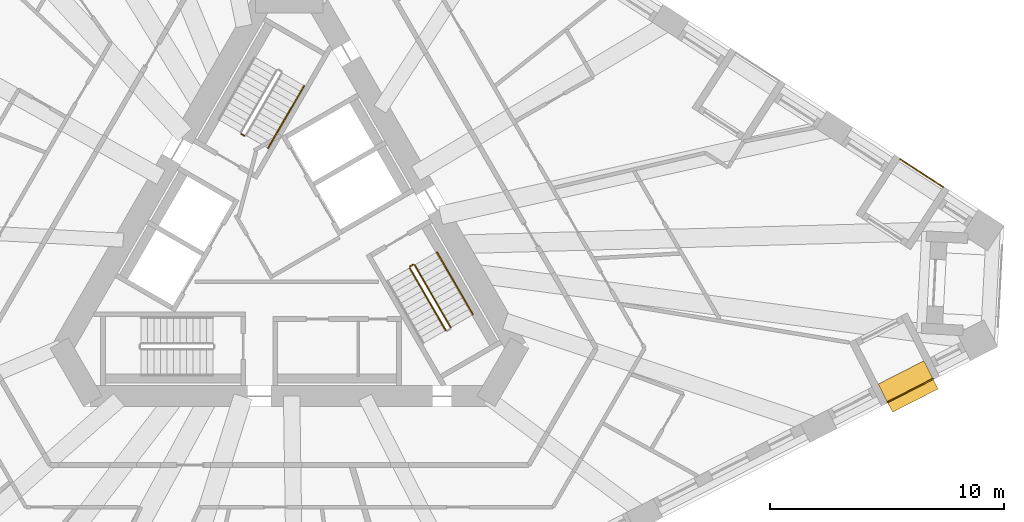
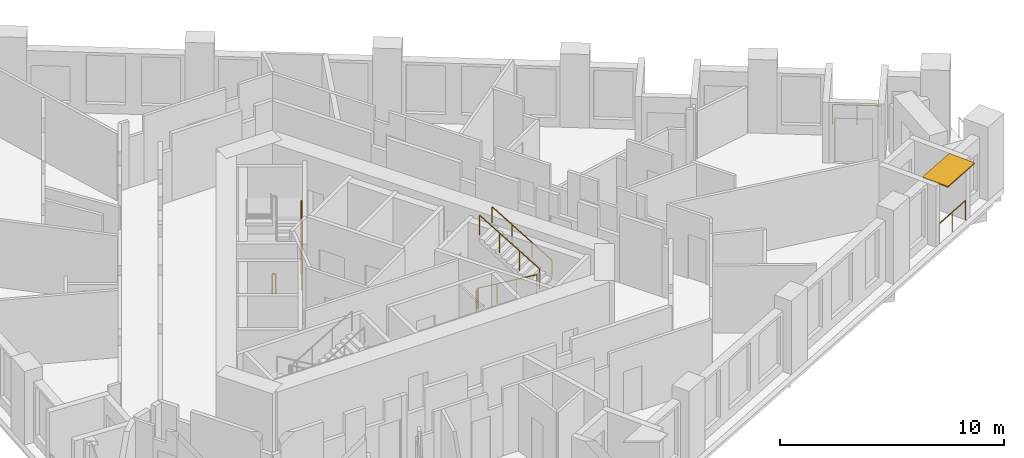
# One storey, part 11 of 13: 8 railings, 1 shading device.
"""IFC4 building model written with IfcOpenShell, lengths in metres."""

from ifc_helpers import new_model, si_unit, direction, frame, origin, origin_2d, place, context, subcontext, project, spatial, rectangle, circle, extrude, material, layer, layer_set, type_object, element, save


model = new_model("IFC4")

# Units and contexts
model_context = context("Model", 3, precision=1e-05, world=origin(), true_north=direction((0.0, 1.0)))
body_context = subcontext(model_context, "Body", "Model", "MODEL_VIEW")
ifc_project = project(units=[si_unit("LENGTHUNIT", "METRE"), si_unit("AREAUNIT", "SQUARE_METRE"), si_unit("VOLUMEUNIT", "CUBIC_METRE"), si_unit("PLANEANGLEUNIT", "RADIAN"), si_unit("MASSUNIT", "GRAM", prefix="KILO")], contexts=[model_context])

# Site, building, storey
site_placement = place(None, origin())
site = spatial("IfcSite", under=ifc_project, at=site_placement, CompositionType="ELEMENT")
building_placement = place(site_placement, origin())
building = spatial("IfcBuilding", under=site, at=building_placement, Name="Tramontana Tower", CompositionType="ELEMENT")
storey_placement = place(building_placement, frame((0.0, 0.0, 141.60009765625)))
storey = spatial("IfcBuildingStorey", under=building, at=storey_placement, Name="L32", CompositionType="ELEMENT", Elevation=141.60009765625)

# Railings
ifc_material_1 = material(Name="Laminated glass balustrade", Category="glass")
railing_type_1 = type_object("IfcRailingType", Name="GD1 Loggia glass balustrade 1100", PredefinedType="BALUSTRADE", material=ifc_material_1)
railing_1_placement = place(storey_placement, frame((25.603271484375, -6.5615234375, 0.0)))
element("IfcRailing", 1, at=railing_1_placement, inside=storey, type_object=railing_type_1, Name="Loggia balustrade L32 G3S1.16", PredefinedType="BALUSTRADE", context=body_context, shape_type="SweptSolid", body=[
    extrude(circle(Radius=0.02392578125, at=origin_2d()), frame((0.0, 0.0, 1.076171875), z_axis=(0.891013126725, 0.4539775413, 0.0), x_axis=(-0.4539775413, 0.891013126725, 0.0)), (0.0, 0.0, 1.0), 2.1904296875),
    extrude(circle(Radius=0.02099609375, at=origin_2d()), origin(), (0.0, 0.0, 1.0), 1.052001953125),
    extrude(circle(Radius=0.02099609375, at=origin_2d()), frame((0.975830078125, 0.4970703125, 0.0)), (0.0, 0.0, 1.0), 1.052001953125),
    extrude(circle(Radius=0.02099609375, at=origin_2d()), frame((1.95166015625, 0.994384765625, 0.0)), (0.0, 0.0, 1.0), 1.052001953125),
])
railing_2_placement = place(storey_placement, frame((27.98583984375, 2.65625, 0.0)))
element("IfcRailing", 2, at=railing_2_placement, inside=storey, type_object=railing_type_1, Name="Loggia balustrade L32 G3S2.1", PredefinedType="BALUSTRADE", context=body_context, shape_type="SweptSolid", body=[
    extrude(circle(Radius=0.02392578125, at=origin_2d()), frame((0.0, 0.0, 1.076171875), z_axis=(-0.838659986147, 0.544655329209, 0.0), x_axis=(-0.544655329209, -0.838659986147, 0.0)), (0.0, 0.0, 1.0), 2.190673828125),
    extrude(circle(Radius=0.02099609375, at=origin_2d()), origin(), (0.0, 0.0, 1.0), 1.052001953125),
    extrude(circle(Radius=0.02099609375, at=origin_2d()), frame((-0.91845703125, 0.5966796875, 0.0)), (0.0, 0.0, 1.0), 1.052001953125),
    extrude(circle(Radius=0.02099609375, at=origin_2d()), frame((-1.837158203125, 1.193115234375, 0.0)), (0.0, 0.0, 1.0), 1.052001953125),
])

# Shading device
ifc_material_2 = material(Name="Precast concrete 60 MPa", Category="concrete")
ifc_layer = layer(ifc_material_2, 0.06005859375)
ifc_layer_set = layer_set([ifc_layer], Name="SS1 Stone sunshade blade 60")
shading_device_type = type_object("IfcShadingDeviceType", Name="SS1 Stone sunshade blade 60", PredefinedType="USERDEFINED", material=ifc_layer_set)
shading_device_placement = place(storey_placement, frame((26.490478515625, -5.890625, 3.239990234375), z_axis=(0.0, 0.0, 1.0), x_axis=(0.891006524188, 0.45399049974, 0.0)))
element("IfcShadingDevice", 3, at=shading_device_placement, inside=storey, type_object=shading_device_type, Name="Sunshade L32 G3S1.16", ObjectType="SUNSHADE", PredefinedType="USERDEFINED", context=body_context, shape_type="SweptSolid", body=[
    extrude(rectangle(XDim=2.1904296875, YDim=1.35009765625, at=origin_2d()), origin(), (0.0, 0.0, 1.0), 0.06005859375),
])

# Railings
ifc_material_3 = material(Name="Painted steel", Category="steel")
railing_type_2 = type_object("IfcRailingType", Name="STAIR GUARD 1100", PredefinedType="GUARDRAIL", material=ifc_material_3)
railing_3_placement = place(storey_placement, frame((-1.935791015625, 4.84716796875, 0.0)))
element("IfcRailing", 4, at=railing_3_placement, inside=storey, type_object=railing_type_2, Name="L32 ST1 stair guard 4", PredefinedType="GUARDRAIL", context=body_context, shape_type="SweptSolid", body=[
    extrude(circle(Radius=0.02392578125, at=origin_2d()), frame((0.0, 0.0, 1.076171875), z_axis=(-0.865426285481, 0.501036270542, 0.0), x_axis=(-0.501036270542, -0.865426285481, 0.0)), (0.0, 0.0, 1.0), 0.150146484375),
    extrude(circle(Radius=0.02099609375, at=origin_2d()), origin(), (0.0, 0.0, 1.0), 1.052001953125),
    extrude(circle(Radius=0.02099609375, at=origin_2d()), frame((-0.1298828125, 0.0751953125, 0.0)), (0.0, 0.0, 1.0), 1.052001953125),
])
railing_4_placement = place(storey_placement, frame((5.1474609375, -0.815673828125, 0.16650390625)))
element("IfcRailing", 5, at=railing_4_placement, inside=storey, type_object=railing_type_2, Name="L32 ST3 stair guard 1", PredefinedType="GUARDRAIL", context=body_context, shape_type="SweptSolid", body=[
    extrude(circle(Radius=0.02392578125, at=origin_2d()), frame((0.0, 0.0, 1.076171875), z_axis=(0.429656224001, -0.744133520484, 0.511527939481), x_axis=(0.866010015463, 0.500026652407, 0.0)), (0.0, 0.0, 1.0), 3.58447265625),
    extrude(circle(Radius=0.02099609375, at=origin_2d()), origin(), (0.0, 0.0, 1.0), 1.052001953125),
    extrude(circle(Radius=0.02099609375, at=origin_2d()), frame((0.513427734375, -0.88916015625, 0.611083984375)), (0.0, 0.0, 1.0), 1.052001953125),
    extrude(circle(Radius=0.02099609375, at=origin_2d()), frame((1.026611328125, -1.778076171875, 1.222412109375)), (0.0, 0.0, 1.0), 1.052001953125),
    extrude(circle(Radius=0.02099609375, at=origin_2d()), frame((1.5400390625, -2.667236328125, 1.83349609375)), (0.0, 0.0, 1.0), 1.052001953125),
])
railing_5_placement = place(storey_placement, frame((6.90380859375, -3.35791015625, 2.16650390625)))
element("IfcRailing", 6, at=railing_5_placement, inside=storey, type_object=railing_type_2, Name="L32 ST3 stair guard 2", PredefinedType="GUARDRAIL", context=body_context, shape_type="SweptSolid", body=[
    extrude(circle(Radius=0.02392578125, at=origin_2d()), frame((0.0, 0.0, 1.076171875), z_axis=(-0.429600682602, 0.744155296881, 0.511542908886), x_axis=(-0.866044340336, -0.499967199496, 0.0)), (0.0, 0.0, 1.0), 3.584228515625),
    extrude(circle(Radius=0.02099609375, at=origin_2d()), origin(), (0.0, 0.0, 1.0), 1.052001953125),
    extrude(circle(Radius=0.02099609375, at=origin_2d()), frame((-0.51318359375, 0.88916015625, 0.611083984375)), (0.0, 0.0, 1.0), 1.052001953125),
    extrude(circle(Radius=0.02099609375, at=origin_2d()), frame((-1.026611328125, 1.778076171875, 1.222412109375)), (0.0, 0.0, 1.0), 1.052001953125),
    extrude(circle(Radius=0.02099609375, at=origin_2d()), frame((-1.539794921875, 2.667236328125, 1.83349609375)), (0.0, 0.0, 1.0), 1.052001953125),
])
railing_6_placement = place(storey_placement, frame((5.165771484375, -0.747314453125, 0.0)))
element("IfcRailing", 7, at=railing_6_placement, inside=storey, type_object=railing_type_2, Name="L32 ST3 stair guard 4", PredefinedType="GUARDRAIL", context=body_context, shape_type="SweptSolid", body=[
    extrude(circle(Radius=0.02392578125, at=origin_2d()), frame((0.0, 0.0, 1.076171875), z_axis=(0.866131372301, 0.499816412211, 0.0), x_axis=(-0.499816412211, 0.866131372301, 0.0)), (0.0, 0.0, 1.0), 0.14990234375),
    extrude(circle(Radius=0.02099609375, at=origin_2d()), origin(), (0.0, 0.0, 1.0), 1.052001953125),
    extrude(circle(Radius=0.02099609375, at=origin_2d()), frame((0.1298828125, 0.074951171875, 0.0)), (0.0, 0.0, 1.0), 1.052001953125),
])
ifc_material_4 = material(Name="Painted steel", Category="steel")
railing_type_3 = type_object("IfcRailingType", Name="STAIR HANDRAIL 900", PredefinedType="HANDRAIL", material=ifc_material_4)
railing_7_placement = place(storey_placement, frame((-0.914794921875, 4.315673828125, 0.16650390625)))
element("IfcRailing", 8, at=railing_7_placement, inside=storey, type_object=railing_type_3, Name="L32 ST1 stair handrail 1", PredefinedType="HANDRAIL", context=body_context, shape_type="SweptSolid", body=[
    extrude(circle(Radius=0.02392578125, at=origin_2d()), frame((0.0, 0.0, 0.8759765625), z_axis=(0.429656224001, 0.744133520484, 0.511527939481), x_axis=(-0.866010015463, 0.500026652407, 0.0)), (0.0, 0.0, 1.0), 3.58447265625),
    extrude(circle(Radius=0.02099609375, at=origin_2d()), origin(), (0.0, 0.0, 1.0), 0.851806640625),
    extrude(circle(Radius=0.02099609375, at=origin_2d()), frame((0.513427734375, 0.88916015625, 0.611083984375)), (0.0, 0.0, 1.0), 0.851806640625),
    extrude(circle(Radius=0.02099609375, at=origin_2d()), frame((1.026611328125, 1.778076171875, 1.222412109375)), (0.0, 0.0, 1.0), 0.851806640625),
    extrude(circle(Radius=0.02099609375, at=origin_2d()), frame((1.5400390625, 2.667236328125, 1.83349609375)), (0.0, 0.0, 1.0), 0.851806640625),
])
railing_8_placement = place(storey_placement, frame((7.8564453125, -2.807861328125, 2.16650390625)))
element("IfcRailing", 9, at=railing_8_placement, inside=storey, type_object=railing_type_3, Name="L32 ST3 stair handrail 2", PredefinedType="HANDRAIL", context=body_context, shape_type="SweptSolid", body=[
    extrude(circle(Radius=0.02392578125, at=origin_2d()), frame((0.0, 0.0, 0.8759765625), z_axis=(-0.429600682602, 0.744155296881, 0.511542908886), x_axis=(-0.866044340336, -0.499967199496, 0.0)), (0.0, 0.0, 1.0), 3.584228515625),
    extrude(circle(Radius=0.02099609375, at=origin_2d()), origin(), (0.0, 0.0, 1.0), 0.851806640625),
    extrude(circle(Radius=0.02099609375, at=origin_2d()), frame((-0.51318359375, 0.88916015625, 0.611083984375)), (0.0, 0.0, 1.0), 0.851806640625),
    extrude(circle(Radius=0.02099609375, at=origin_2d()), frame((-1.026611328125, 1.778076171875, 1.222412109375)), (0.0, 0.0, 1.0), 0.851806640625),
    extrude(circle(Radius=0.02099609375, at=origin_2d()), frame((-1.539794921875, 2.667236328125, 1.83349609375)), (0.0, 0.0, 1.0), 0.851806640625),
])

save(model, "model.ifc")
